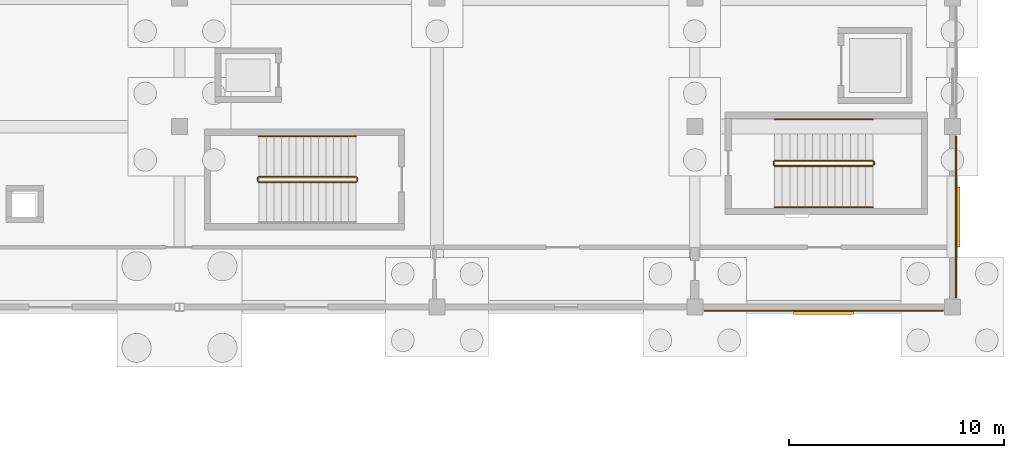
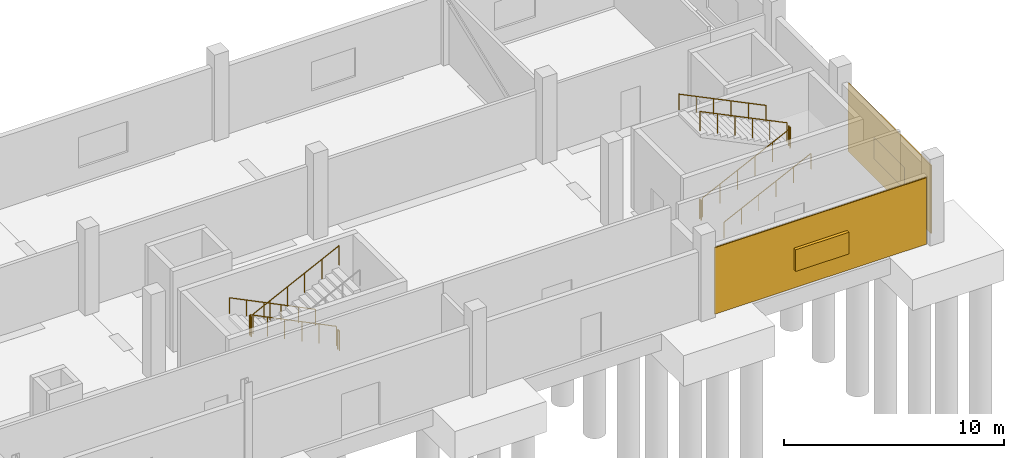
# One storey, part 78 of 82: 11 railings, 2 coverings, 2 shading devices.
"""IFC4 building model written with IfcOpenShell, lengths in metres."""

from ifc_helpers import new_model, si_unit, direction, frame, origin, origin_2d, place, context, subcontext, project, spatial, rectangle, circle, extrude, material, layer, layer_set, type_object, element, save


model = new_model("IFC4")

# Units and contexts
model_context = context("Model", 3, precision=1e-05, world=origin(), true_north=direction((0.0, 1.0)))
body_context = subcontext(model_context, "Body", "Model", "MODEL_VIEW")
ifc_project = project(units=[si_unit("LENGTHUNIT", "METRE"), si_unit("AREAUNIT", "SQUARE_METRE"), si_unit("VOLUMEUNIT", "CUBIC_METRE"), si_unit("PLANEANGLEUNIT", "RADIAN"), si_unit("MASSUNIT", "GRAM", prefix="KILO")], contexts=[model_context])

# Site, building, storey
site_placement = place(None, origin())
site = spatial("IfcSite", under=ifc_project, at=site_placement, CompositionType="ELEMENT")
building_placement = place(site_placement, origin())
building = spatial("IfcBuilding", under=site, at=building_placement, Name="Kelmvaro Bay Concert Hall", CompositionType="ELEMENT")
storey_placement = place(building_placement, origin())
storey = spatial("IfcBuildingStorey", under=building, at=storey_placement, Name="L00", CompositionType="ELEMENT", Elevation=0.0)

# Coverings
ifc_material_1 = material(Name="Honed Florida Limestone Travertine", Category="masonry")
ifc_layer_1 = layer(ifc_material_1, 0.054931640625)
ifc_layer_set_1 = layer_set([ifc_layer_1], Name="Honed Florida Limestone Travertine")
covering_type = type_object("IfcCoveringType", Name="Honed Florida Travertine Rainscreen Cladding 55", PredefinedType="CLADDING", material=ifc_layer_set_1)
covering_1_placement = place(storey_placement, frame((162.0, 15.4345703125, 0.030029296875), z_axis=(0.0, 0.0, 1.0), x_axis=(-1.0, 0.0, 0.0)))
element("IfcCovering", 1, at=covering_1_placement, inside=storey, type_object=covering_type, Name="L00 Travertine Cladding Panel 0684", PredefinedType="CLADDING", context=body_context, shape_type="SweptSolid", body=[
    extrude(rectangle(XDim=11.1298828125, YDim=0.054931640625, at=origin_2d()), origin(), (0.0, 0.0, 1.0), 3.68701171875),
])
covering_2_placement = place(storey_placement, frame((168.16552734375, 19.800048828125, 0.030029296875), z_axis=(0.0, 0.0, 1.0), x_axis=(0.0, -1.0, 0.0)))
element("IfcCovering", 2, at=covering_2_placement, inside=storey, type_object=covering_type, Name="L00 Travertine Cladding Panel 0694", PredefinedType="CLADDING", context=body_context, shape_type="SweptSolid", body=[
    extrude(rectangle(XDim=7.530029296875, YDim=0.054931640625, at=origin_2d()), origin(), (0.0, 0.0, 1.0), 3.7880859375),
])

# Shading devices
ifc_material_2 = material(Name="Anodised Extruded Aluminium 6063-T6", Category="aluminium")
ifc_layer_2 = layer(ifc_material_2, 1.199951171875)
ifc_layer_set_2 = layer_set([ifc_layer_2], Name="Anodised Extruded Aluminium 6063-T6")
shading_device_type = type_object("IfcShadingDeviceType", Name="Hurricane Acoustic Intake Storm Louvre 2800x1200", PredefinedType="JALOUSIE", material=ifc_layer_set_2)
for number, where, z_axis, x_axis, name in (
    (3, (162.0, 15.35302734375, 1.0498046875), (0.0, 0.0, 1.0), (-1.0, 0.0, 0.0), "L00 Storm Acoustic Louvre 128"),
    (4, (168.2470703125, 19.800048828125, 1.0498046875), (0.0, 0.0, 1.0), (0.0, -1.0, 0.0), "L00 Storm Acoustic Louvre 129"),
):
    element("IfcShadingDevice", number, at=place(storey_placement, frame(where, z_axis=z_axis, x_axis=x_axis)), inside=storey, type_object=shading_device_type, Name=name, PredefinedType="JALOUSIE", context=body_context, shape_type="SweptSolid", body=[
        extrude(rectangle(XDim=2.800048828125, YDim=0.219970703125, at=origin_2d()), origin(), (0.0, 0.0, 1.0), 1.199951171875),
    ])

# Railings
ifc_material_3 = material(Name="Brushed Stainless Steel 316", Category="steel")
railing_type_1 = type_object("IfcRailingType", Name="Stair Stainless Wall Handrail 900", PredefinedType="HANDRAIL", material=ifc_material_3)
railing_1_placement = place(storey_placement, frame((140.219970703125, 23.550048828125, 0.17138671875)))
element("IfcRailing", 5, at=railing_1_placement, inside=storey, type_object=railing_type_1, Name="L00 ST-05 stair handrail 1", PredefinedType="HANDRAIL", context=body_context, shape_type="SweptSolid", body=[
    extrude(circle(Radius=0.02392578125, at=origin_2d()), frame((0.0, 0.0, 0.8759765625), z_axis=(-0.897064401264, 0.0, 0.441899830261), x_axis=(0.0, -1.0, 0.0)), (0.0, 0.0, 1.0), 5.04296875),
    extrude(circle(Radius=0.02099609375, at=origin_2d()), origin(), (0.0, 0.0, 1.0), 0.851806640625),
    extrude(circle(Radius=0.02099609375, at=origin_2d()), frame((-0.90478515625, 0.0, 0.44580078125)), (0.0, 0.0, 1.0), 0.851806640625),
    extrude(circle(Radius=0.02099609375, at=origin_2d()), frame((-1.8095703125, 0.0, 0.891357421875)), (0.0, 0.0, 1.0), 0.851806640625),
    extrude(circle(Radius=0.02099609375, at=origin_2d()), frame((-2.71435546875, 0.0, 1.337158203125)), (0.0, 0.0, 1.0), 0.851806640625),
    extrude(circle(Radius=0.02099609375, at=origin_2d()), frame((-3.619140625, 0.0, 1.78271484375)), (0.0, 0.0, 1.0), 0.851806640625),
    extrude(circle(Radius=0.02099609375, at=origin_2d()), frame((-4.52392578125, 0.0, 2.228515625)), (0.0, 0.0, 1.0), 0.851806640625),
])
railing_2_placement = place(storey_placement, frame((159.719970703125, 20.25, 0.17138671875)))
element("IfcRailing", 6, at=railing_2_placement, inside=storey, type_object=railing_type_1, Name="L00 ST-06 stair handrail 1", PredefinedType="HANDRAIL", context=body_context, shape_type="SweptSolid", body=[
    extrude(circle(Radius=0.02392578125, at=origin_2d()), frame((0.0, 0.0, 0.8759765625), z_axis=(0.899050392795, 0.0, 0.437845168086), x_axis=(0.0, 1.0, 0.0)), (0.0, 0.0, 1.0), 5.08984375),
    extrude(circle(Radius=0.02099609375, at=origin_2d()), origin(), (0.0, 0.0, 1.0), 0.851806640625),
    extrude(circle(Radius=0.02099609375, at=origin_2d()), frame((0.915283203125, 0.0, 0.44580078125)), (0.0, 0.0, 1.0), 0.851806640625),
    extrude(circle(Radius=0.02099609375, at=origin_2d()), frame((1.830322265625, 0.0, 0.891357421875)), (0.0, 0.0, 1.0), 0.851806640625),
    extrude(circle(Radius=0.02099609375, at=origin_2d()), frame((2.74560546875, 0.0, 1.337158203125)), (0.0, 0.0, 1.0), 0.851806640625),
    extrude(circle(Radius=0.02099609375, at=origin_2d()), frame((3.66064453125, 0.0, 1.78271484375)), (0.0, 0.0, 1.0), 0.851806640625),
    extrude(circle(Radius=0.02099609375, at=origin_2d()), frame((4.575927734375, 0.0, 2.228515625)), (0.0, 0.0, 1.0), 0.851806640625),
])
railing_3_placement = place(storey_placement, frame((164.2958984375, 24.340087890625, 2.571533203125)))
element("IfcRailing", 7, at=railing_3_placement, inside=storey, type_object=railing_type_1, Name="L00 ST-06 stair handrail 2", PredefinedType="HANDRAIL", context=body_context, shape_type="SweptSolid", body=[
    extrude(circle(Radius=0.02392578125, at=origin_2d()), frame((0.0, 0.0, 0.8759765625), z_axis=(-0.899050392795, 0.0, 0.437845168086), x_axis=(0.0, -1.0, 0.0)), (0.0, 0.0, 1.0), 5.08984375),
    extrude(circle(Radius=0.02099609375, at=origin_2d()), origin(), (0.0, 0.0, 1.0), 0.851806640625),
    extrude(circle(Radius=0.02099609375, at=origin_2d()), frame((-0.915283203125, 0.0, 0.44580078125)), (0.0, 0.0, 1.0), 0.851806640625),
    extrude(circle(Radius=0.02099609375, at=origin_2d()), frame((-1.830322265625, 0.0, 0.891357421875)), (0.0, 0.0, 1.0), 0.851806640625),
    extrude(circle(Radius=0.02099609375, at=origin_2d()), frame((-2.74560546875, 0.0, 1.337158203125)), (0.0, 0.0, 1.0), 0.851806640625),
    extrude(circle(Radius=0.02099609375, at=origin_2d()), frame((-3.66064453125, 0.0, 1.78271484375)), (0.0, 0.0, 1.0), 0.851806640625),
    extrude(circle(Radius=0.02099609375, at=origin_2d()), frame((-4.575927734375, 0.0, 2.228515625)), (0.0, 0.0, 1.0), 0.851806640625),
])
ifc_material_4 = material(Name="Powder-Coated Steel ASTM A500", Category="steel")
railing_type_2 = type_object("IfcRailingType", Name="Stair Well Painted Steel Guard 1100", PredefinedType="BALUSTRADE", material=ifc_material_4)
railing_4_placement = place(storey_placement, frame((140.219970703125, 21.669921875, 0.17138671875)))
element("IfcRailing", 8, at=railing_4_placement, inside=storey, type_object=railing_type_2, Name="L00 ST-05 stair guard 1", PredefinedType="BALUSTRADE", context=body_context, shape_type="SweptSolid", body=[
    extrude(circle(Radius=0.02392578125, at=origin_2d()), frame((0.0, 0.0, 1.076171875), z_axis=(-0.897064401264, 0.0, 0.441899830261), x_axis=(0.0, -1.0, 0.0)), (0.0, 0.0, 1.0), 5.04296875),
    extrude(circle(Radius=0.02099609375, at=origin_2d()), origin(), (0.0, 0.0, 1.0), 1.052001953125),
    extrude(circle(Radius=0.02099609375, at=origin_2d()), frame((-0.90478515625, 0.0, 0.44580078125)), (0.0, 0.0, 1.0), 1.052001953125),
    extrude(circle(Radius=0.02099609375, at=origin_2d()), frame((-1.8095703125, 0.0, 0.891357421875)), (0.0, 0.0, 1.0), 1.052001953125),
    extrude(circle(Radius=0.02099609375, at=origin_2d()), frame((-2.71435546875, 0.0, 1.337158203125)), (0.0, 0.0, 1.0), 1.052001953125),
    extrude(circle(Radius=0.02099609375, at=origin_2d()), frame((-3.619140625, 0.0, 1.78271484375)), (0.0, 0.0, 1.0), 1.052001953125),
    extrude(circle(Radius=0.02099609375, at=origin_2d()), frame((-4.52392578125, 0.0, 2.228515625)), (0.0, 0.0, 1.0), 1.052001953125),
])
railing_5_placement = place(storey_placement, frame((135.64599609375, 21.6201171875, 2.39990234375)))
element("IfcRailing", 9, at=railing_5_placement, inside=storey, type_object=railing_type_2, Name="L00 ST-05 stair guard 2", PredefinedType="BALUSTRADE", context=body_context, shape_type="SweptSolid", body=[
    extrude(circle(Radius=0.02392578125, at=origin_2d()), frame((0.0, 0.0, 1.076171875), z_axis=(0.0, -1.0, 0.0), x_axis=(1.0, 0.0, 0.0)), (0.0, 0.0, 1.0), 0.150146484375),
    extrude(circle(Radius=0.02099609375, at=origin_2d()), origin(), (0.0, 0.0, 1.0), 1.052001953125),
    extrude(circle(Radius=0.02099609375, at=origin_2d()), frame((0.0, -0.150146484375, 0.0)), (0.0, 0.0, 1.0), 1.052001953125),
])
railing_6_placement = place(storey_placement, frame((135.696044921875, 21.419921875, 2.571533203125)))
element("IfcRailing", 10, at=railing_6_placement, inside=storey, type_object=railing_type_2, Name="L00 ST-05 stair guard 3", PredefinedType="BALUSTRADE", context=body_context, shape_type="SweptSolid", body=[
    extrude(circle(Radius=0.02392578125, at=origin_2d()), frame((0.0, 0.0, 1.076171875), z_axis=(0.897064401264, 0.0, 0.441899830261), x_axis=(0.0, 1.0, 0.0)), (0.0, 0.0, 1.0), 5.04296875),
    extrude(circle(Radius=0.02099609375, at=origin_2d()), origin(), (0.0, 0.0, 1.0), 1.052001953125),
    extrude(circle(Radius=0.02099609375, at=origin_2d()), frame((0.90478515625, 0.0, 0.44580078125)), (0.0, 0.0, 1.0), 1.052001953125),
    extrude(circle(Radius=0.02099609375, at=origin_2d()), frame((1.8095703125, 0.0, 0.891357421875)), (0.0, 0.0, 1.0), 1.052001953125),
    extrude(circle(Radius=0.02099609375, at=origin_2d()), frame((2.71435546875, 0.0, 1.337158203125)), (0.0, 0.0, 1.0), 1.052001953125),
    extrude(circle(Radius=0.02099609375, at=origin_2d()), frame((3.619140625, 0.0, 1.78271484375)), (0.0, 0.0, 1.0), 1.052001953125),
    extrude(circle(Radius=0.02099609375, at=origin_2d()), frame((4.52392578125, 0.0, 2.228515625)), (0.0, 0.0, 1.0), 1.052001953125),
])
railing_7_placement = place(storey_placement, frame((140.27001953125, 21.6201171875, 0.0)))
element("IfcRailing", 11, at=railing_7_placement, inside=storey, type_object=railing_type_2, Name="L00 ST-05 stair guard 4", PredefinedType="BALUSTRADE", context=body_context, shape_type="SweptSolid", body=[
    extrude(circle(Radius=0.02392578125, at=origin_2d()), frame((0.0, 0.0, 1.076171875), z_axis=(0.0, -1.0, 0.0), x_axis=(1.0, 0.0, 0.0)), (0.0, 0.0, 1.0), 0.150146484375),
    extrude(circle(Radius=0.02099609375, at=origin_2d()), origin(), (0.0, 0.0, 1.0), 1.052001953125),
    extrude(circle(Radius=0.02099609375, at=origin_2d()), frame((0.0, -0.150146484375, 0.0)), (0.0, 0.0, 1.0), 1.052001953125),
])
railing_8_placement = place(storey_placement, frame((159.719970703125, 22.169921875, 0.17138671875)))
element("IfcRailing", 12, at=railing_8_placement, inside=storey, type_object=railing_type_2, Name="L00 ST-06 stair guard 1", PredefinedType="BALUSTRADE", context=body_context, shape_type="SweptSolid", body=[
    extrude(circle(Radius=0.02392578125, at=origin_2d()), frame((0.0, 0.0, 1.076171875), z_axis=(0.899050392795, 0.0, 0.437845168086), x_axis=(0.0, 1.0, 0.0)), (0.0, 0.0, 1.0), 5.08984375),
    extrude(circle(Radius=0.02099609375, at=origin_2d()), origin(), (0.0, 0.0, 1.0), 1.052001953125),
    extrude(circle(Radius=0.02099609375, at=origin_2d()), frame((0.915283203125, 0.0, 0.44580078125)), (0.0, 0.0, 1.0), 1.052001953125),
    extrude(circle(Radius=0.02099609375, at=origin_2d()), frame((1.830322265625, 0.0, 0.891357421875)), (0.0, 0.0, 1.0), 1.052001953125),
    extrude(circle(Radius=0.02099609375, at=origin_2d()), frame((2.74560546875, 0.0, 1.337158203125)), (0.0, 0.0, 1.0), 1.052001953125),
    extrude(circle(Radius=0.02099609375, at=origin_2d()), frame((3.66064453125, 0.0, 1.78271484375)), (0.0, 0.0, 1.0), 1.052001953125),
    extrude(circle(Radius=0.02099609375, at=origin_2d()), frame((4.575927734375, 0.0, 2.228515625)), (0.0, 0.0, 1.0), 1.052001953125),
])
railing_9_placement = place(storey_placement, frame((164.345947265625, 22.219970703125, 2.39990234375)))
element("IfcRailing", 13, at=railing_9_placement, inside=storey, type_object=railing_type_2, Name="L00 ST-06 stair guard 2", PredefinedType="BALUSTRADE", context=body_context, shape_type="SweptSolid", body=[
    extrude(circle(Radius=0.02392578125, at=origin_2d()), frame((0.0, 0.0, 1.076171875), z_axis=(0.0, 1.0, 0.0), x_axis=(-1.0, 0.0, 0.0)), (0.0, 0.0, 1.0), 0.150146484375),
    extrude(circle(Radius=0.02099609375, at=origin_2d()), origin(), (0.0, 0.0, 1.0), 1.052001953125),
    extrude(circle(Radius=0.02099609375, at=origin_2d()), frame((0.0, 0.150146484375, 0.0)), (0.0, 0.0, 1.0), 1.052001953125),
])
railing_10_placement = place(storey_placement, frame((164.2958984375, 22.419921875, 2.571533203125)))
element("IfcRailing", 14, at=railing_10_placement, inside=storey, type_object=railing_type_2, Name="L00 ST-06 stair guard 3", PredefinedType="BALUSTRADE", context=body_context, shape_type="SweptSolid", body=[
    extrude(circle(Radius=0.02392578125, at=origin_2d()), frame((0.0, 0.0, 1.076171875), z_axis=(-0.899050392795, 0.0, 0.437845168086), x_axis=(0.0, -1.0, 0.0)), (0.0, 0.0, 1.0), 5.08984375),
    extrude(circle(Radius=0.02099609375, at=origin_2d()), origin(), (0.0, 0.0, 1.0), 1.052001953125),
    extrude(circle(Radius=0.02099609375, at=origin_2d()), frame((-0.915283203125, 0.0, 0.44580078125)), (0.0, 0.0, 1.0), 1.052001953125),
    extrude(circle(Radius=0.02099609375, at=origin_2d()), frame((-1.830322265625, 0.0, 0.891357421875)), (0.0, 0.0, 1.0), 1.052001953125),
    extrude(circle(Radius=0.02099609375, at=origin_2d()), frame((-2.74560546875, 0.0, 1.337158203125)), (0.0, 0.0, 1.0), 1.052001953125),
    extrude(circle(Radius=0.02099609375, at=origin_2d()), frame((-3.66064453125, 0.0, 1.78271484375)), (0.0, 0.0, 1.0), 1.052001953125),
    extrude(circle(Radius=0.02099609375, at=origin_2d()), frame((-4.575927734375, 0.0, 2.228515625)), (0.0, 0.0, 1.0), 1.052001953125),
])
railing_11_placement = place(storey_placement, frame((159.669921875, 22.219970703125, 0.0)))
element("IfcRailing", 15, at=railing_11_placement, inside=storey, type_object=railing_type_2, Name="L00 ST-06 stair guard 4", PredefinedType="BALUSTRADE", context=body_context, shape_type="SweptSolid", body=[
    extrude(circle(Radius=0.02392578125, at=origin_2d()), frame((0.0, 0.0, 1.076171875), z_axis=(0.0, 1.0, 0.0), x_axis=(-1.0, 0.0, 0.0)), (0.0, 0.0, 1.0), 0.150146484375),
    extrude(circle(Radius=0.02099609375, at=origin_2d()), origin(), (0.0, 0.0, 1.0), 1.052001953125),
    extrude(circle(Radius=0.02099609375, at=origin_2d()), frame((0.0, 0.150146484375, 0.0)), (0.0, 0.0, 1.0), 1.052001953125),
])

save(model, "model.ifc")
